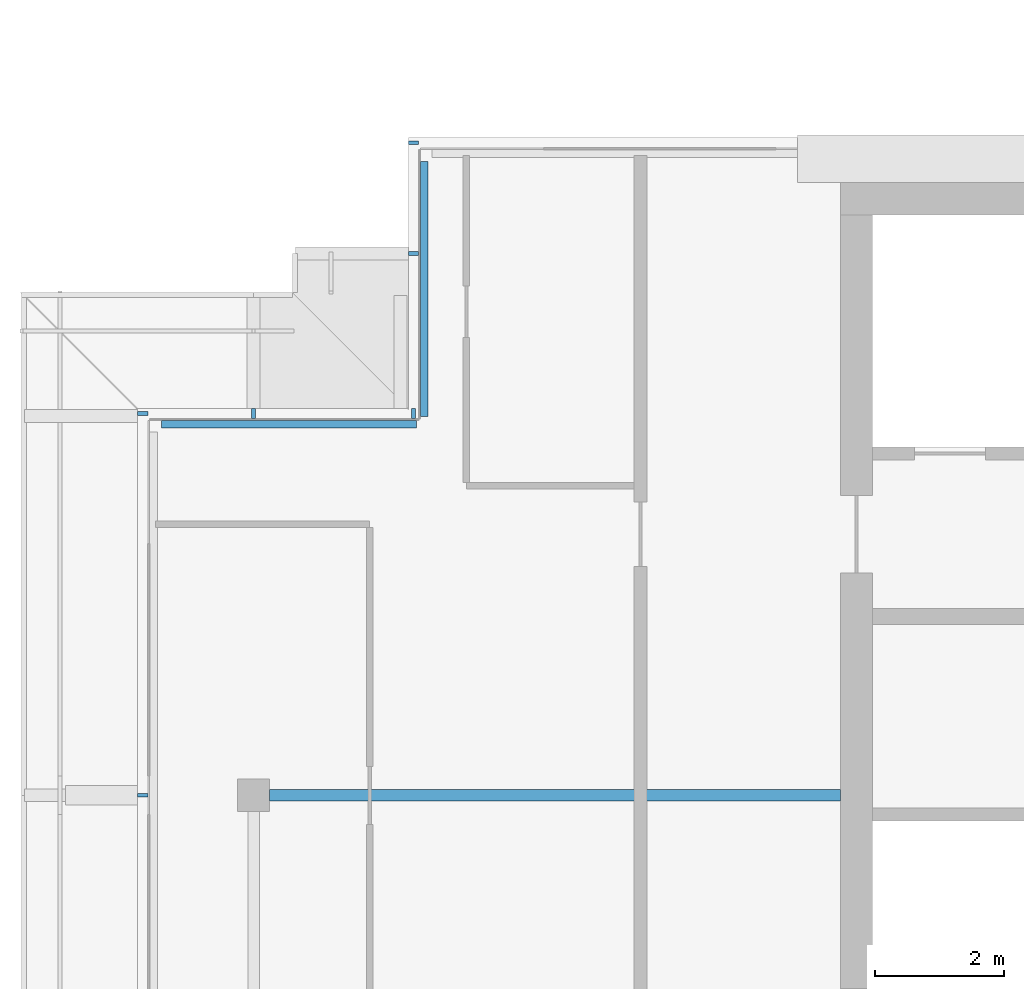
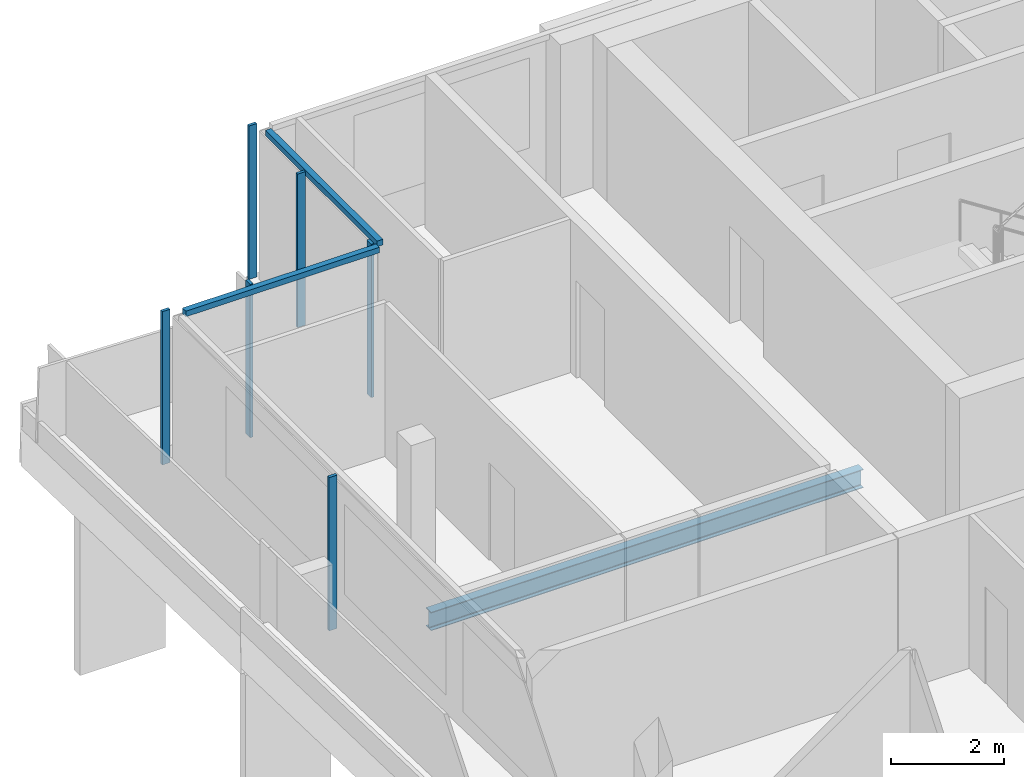
# One storey, part 8 of 27: 8 members, 1 beam, 3 elements without a shape of their own.
"""IFC4 building model written with IfcOpenShell, lengths in metres."""

from ifc_helpers import new_model, si_unit, direction, frame, origin, origin_2d, place, context, subcontext, project, spatial, rectangle, i_section, extrude, material, material_profile, profile_set, type_object, element, aggregate, save


model = new_model("IFC4")

# Units and contexts
model_context = context("Model", 3, precision=1e-05, world=origin(), true_north=direction((0.0, 1.0)))
body_context = subcontext(model_context, "Body", "Model", "MODEL_VIEW")
ifc_project = project(units=[si_unit("LENGTHUNIT", "METRE"), si_unit("AREAUNIT", "SQUARE_METRE"), si_unit("VOLUMEUNIT", "CUBIC_METRE"), si_unit("PLANEANGLEUNIT", "RADIAN"), si_unit("MASSUNIT", "GRAM", prefix="KILO")], contexts=[model_context])

# Site, building, storey
site_placement = place(None, origin())
site = spatial("IfcSite", under=ifc_project, at=site_placement, CompositionType="ELEMENT")
building_placement = place(site_placement, origin())
building = spatial("IfcBuilding", under=site, at=building_placement, Name="Saffron Gate Tower", CompositionType="ELEMENT")
storey_placement = place(building_placement, frame((0.0, 0.0, 274.35009765625)))
storey = spatial("IfcBuildingStorey", under=building, at=storey_placement, Name="L66", CompositionType="ELEMENT", Elevation=274.35009765625)

# Beam
ifc_material_1 = material(Name="Structural steel S355", Category="steel")
ifc_material_profile_1 = material_profile(ifc_material_1, i_section(OverallWidth=0.179931640625, OverallDepth=0.39990234375, WebThickness=0.008544921875, FlangeThickness=0.013427734375, FilletRadius=0.02099609375, at=origin_2d()))
ifc_profile_set_1 = profile_set([ifc_material_profile_1], Name="Structural steel S355")
beam_type = type_object("IfcBeamType", Name="B4 IPE 400", PredefinedType="BEAM", material=ifc_profile_set_1)
beam_placement = place(storey_placement, frame((58.449951171875, 65.39990234375, -0.47998046875), z_axis=(1.0, 0.0, 0.0), x_axis=(0.0, 1.0, 0.0)))
element("IfcBeam", 1, at=beam_placement, inside=storey, type_object=beam_type, Name="B4 CORE TIE BEAM", PredefinedType="BEAM", context=body_context, shape_type="SweptSolid", body=[
    extrude(i_section(OverallWidth=0.179931640625, OverallDepth=0.39990234375, WebThickness=0.008544921875, FlangeThickness=0.013427734375, FilletRadius=0.02099609375, at=origin_2d()), origin(), (0.0, 0.0, 1.0), 8.85009765625),
])

# Curtain wall, members
ifc_material_2 = material(Name="Aluminium, bronze anodised", Category="aluminium")
curtain_wall_type_1 = type_object("IfcCurtainWallType", Name="CWS2 curtain wall side facades", PredefinedType="NOTDEFINED", material=ifc_material_2)
curtain_wall_1_placement = place(storey_placement, origin())
curtain_wall_1 = element("IfcCurtainWall", 2, at=curtain_wall_1_placement, inside=storey, type_object=curtain_wall_type_1, Name="CWS2 run 10", PredefinedType="NOTDEFINED")
ifc_material_profile_2 = material_profile(ifc_material_2, rectangle(XDim=0.159912109375, YDim=0.06005859375, at=origin_2d()))
ifc_profile_set_2 = profile_set([ifc_material_profile_2], Name="Aluminium, bronze anodised")
member_type_1 = type_object("IfcMemberType", Name="CWS2 mullion 60x160", PredefinedType="MULLION", material=ifc_profile_set_2)
member_1_placement = place(storey_placement, frame((56.47998046875, 71.320068359375, 0.0), z_axis=(0.0, 0.0, 1.0), x_axis=(1.0, 0.0, 0.0)))
member_1 = element("IfcMember", 3, at=member_1_placement, type_object=member_type_1, Name="CWS2 mullion 1", PredefinedType="MULLION", context=body_context, shape_type="SweptSolid", body=[
    extrude(rectangle(XDim=0.159912109375, YDim=0.06005859375, at=origin_2d()), origin(), (0.0, 0.0, 1.0), 3.31982421875),
])
member_2_placement = place(storey_placement, frame((56.47998046875, 65.39990234375, 0.0), z_axis=(0.0, 0.0, 1.0), x_axis=(1.0, 0.0, 0.0)))
member_2 = element("IfcMember", 4, at=member_2_placement, type_object=member_type_1, Name="CWS2 mullion 2", PredefinedType="MULLION", context=body_context, shape_type="SweptSolid", body=[
    extrude(rectangle(XDim=0.159912109375, YDim=0.06005859375, at=origin_2d()), origin(), (0.0, 0.0, 1.0), 3.31982421875),
])
aggregate(curtain_wall_1, [member_1, member_2])

# Curtain wall, member
curtain_wall_type_2 = type_object("IfcCurtainWallType", Name="CWS4 curtain wall corner returns", PredefinedType="NOTDEFINED", material=ifc_material_2)
curtain_wall_2_placement = place(storey_placement, origin())
curtain_wall_2 = element("IfcCurtainWall", 5, at=curtain_wall_2_placement, inside=storey, type_object=curtain_wall_type_2, Name="CWS4 run 8", PredefinedType="NOTDEFINED")
ifc_material_profile_3 = material_profile(ifc_material_2, rectangle(XDim=0.1201171875, YDim=0.1201171875, at=origin_2d()))
ifc_profile_set_3 = profile_set([ifc_material_profile_3], Name="Aluminium, bronze anodised")
member_type_2 = type_object("IfcMemberType", Name="CWS4 head transom", PredefinedType="USERDEFINED", material=ifc_profile_set_3)
member_3_placement = place(storey_placement, frame((60.847900390625, 75.23193359375, 3.260009765625), z_axis=(0.0, -1.0, 0.0), x_axis=(1.0, 0.0, 0.0)))
member_3 = element("IfcMember", 6, at=member_3_placement, type_object=member_type_2, Name="CWS4 head transom", ObjectType="TRANSOM", PredefinedType="USERDEFINED", context=body_context, shape_type="SweptSolid", body=[
    extrude(rectangle(XDim=0.1201171875, YDim=0.1201171875, at=origin_2d()), origin(), (0.0, 0.0, 1.0), 3.9599609375),
])

curtain_wall_3_placement = place(storey_placement, origin())
curtain_wall_3 = element("IfcCurtainWall", 7, at=curtain_wall_3_placement, inside=storey, type_object=curtain_wall_type_2, Name="CWS4 run 9", PredefinedType="NOTDEFINED")
member_4_placement = place(storey_placement, frame((60.72802734375, 71.152099609375, 3.260009765625), z_axis=(-1.0, 0.0, 0.0), x_axis=(0.0, -1.0, 0.0)))
member_4 = element("IfcMember", 8, at=member_4_placement, type_object=member_type_2, Name="CWS4 head transom", ObjectType="TRANSOM", PredefinedType="USERDEFINED", context=body_context, shape_type="SweptSolid", body=[
    extrude(rectangle(XDim=0.1201171875, YDim=0.1201171875, at=origin_2d()), origin(), (0.0, 0.0, 1.0), 3.9599609375),
])

# Member
ifc_material_profile_4 = material_profile(ifc_material_2, rectangle(XDim=0.159912109375, YDim=0.06005859375, at=origin_2d()))
ifc_profile_set_4 = profile_set([ifc_material_profile_4], Name="Aluminium, bronze anodised")
member_type_3 = type_object("IfcMemberType", Name="CWS4 mullion 60x160", PredefinedType="MULLION", material=ifc_profile_set_4)
member_5_placement = place(storey_placement, frame((60.679931640625, 75.52001953125, 0.0), z_axis=(0.0, 0.0, 1.0), x_axis=(1.0, 0.0, 0.0)))
member_5 = element("IfcMember", 9, at=member_5_placement, type_object=member_type_3, Name="CWS4 mullion 1", PredefinedType="MULLION", context=body_context, shape_type="SweptSolid", body=[
    extrude(rectangle(XDim=0.159912109375, YDim=0.06005859375, at=origin_2d()), origin(), (0.0, 0.0, 1.0), 3.31982421875),
])

member_6_placement = place(storey_placement, frame((60.679931640625, 73.800048828125, 0.0), z_axis=(0.0, 0.0, 1.0), x_axis=(1.0, 0.0, 0.0)))
member_6 = element("IfcMember", 10, at=member_6_placement, type_object=member_type_3, Name="CWS4 mullion 2", PredefinedType="MULLION", context=body_context, shape_type="SweptSolid", body=[
    extrude(rectangle(XDim=0.159912109375, YDim=0.06005859375, at=origin_2d()), origin(), (0.0, 0.0, 1.0), 3.31982421875),
])

aggregate(curtain_wall_2, [member_5, member_6, member_3])

member_7_placement = place(storey_placement, frame((60.679931640625, 71.320068359375, 0.0), z_axis=(0.0, 0.0, 1.0), x_axis=(0.0, -1.0, 0.0)))
member_7 = element("IfcMember", 11, at=member_7_placement, type_object=member_type_3, Name="CWS4 mullion 1", PredefinedType="MULLION", context=body_context, shape_type="SweptSolid", body=[
    extrude(rectangle(XDim=0.159912109375, YDim=0.06005859375, at=origin_2d()), origin(), (0.0, 0.0, 1.0), 3.31982421875),
])

member_8_placement = place(storey_placement, frame((58.199951171875, 71.320068359375, 0.0), z_axis=(0.0, 0.0, 1.0), x_axis=(0.0, -1.0, 0.0)))
member_8 = element("IfcMember", 12, at=member_8_placement, type_object=member_type_3, Name="CWS4 mullion 2", PredefinedType="MULLION", context=body_context, shape_type="SweptSolid", body=[
    extrude(rectangle(XDim=0.159912109375, YDim=0.06005859375, at=origin_2d()), origin(), (0.0, 0.0, 1.0), 3.31982421875),
])

aggregate(curtain_wall_3, [member_7, member_8, member_4])

save(model, "model.ifc")
